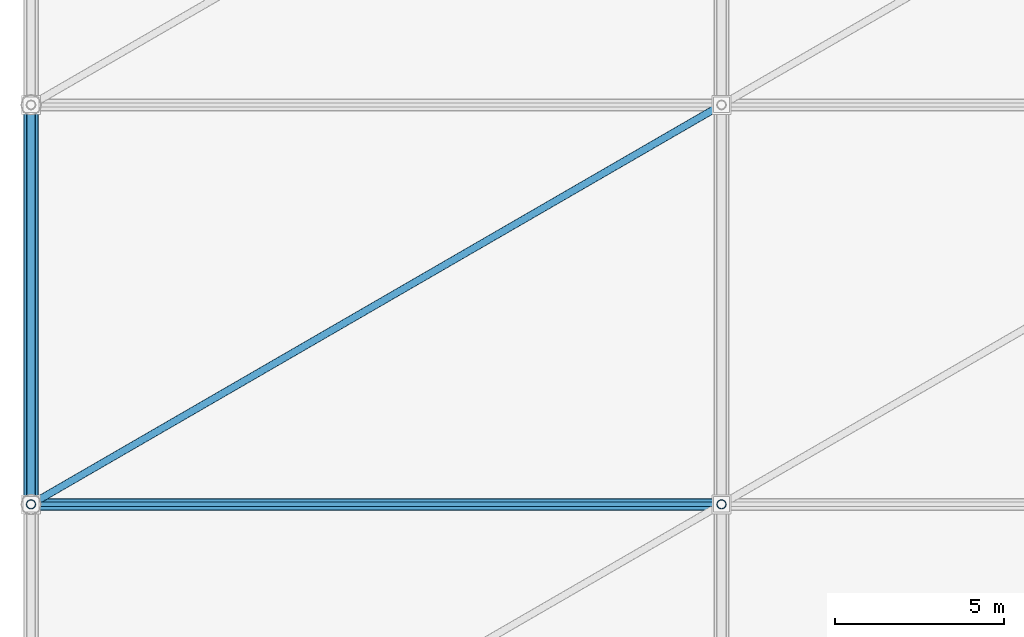
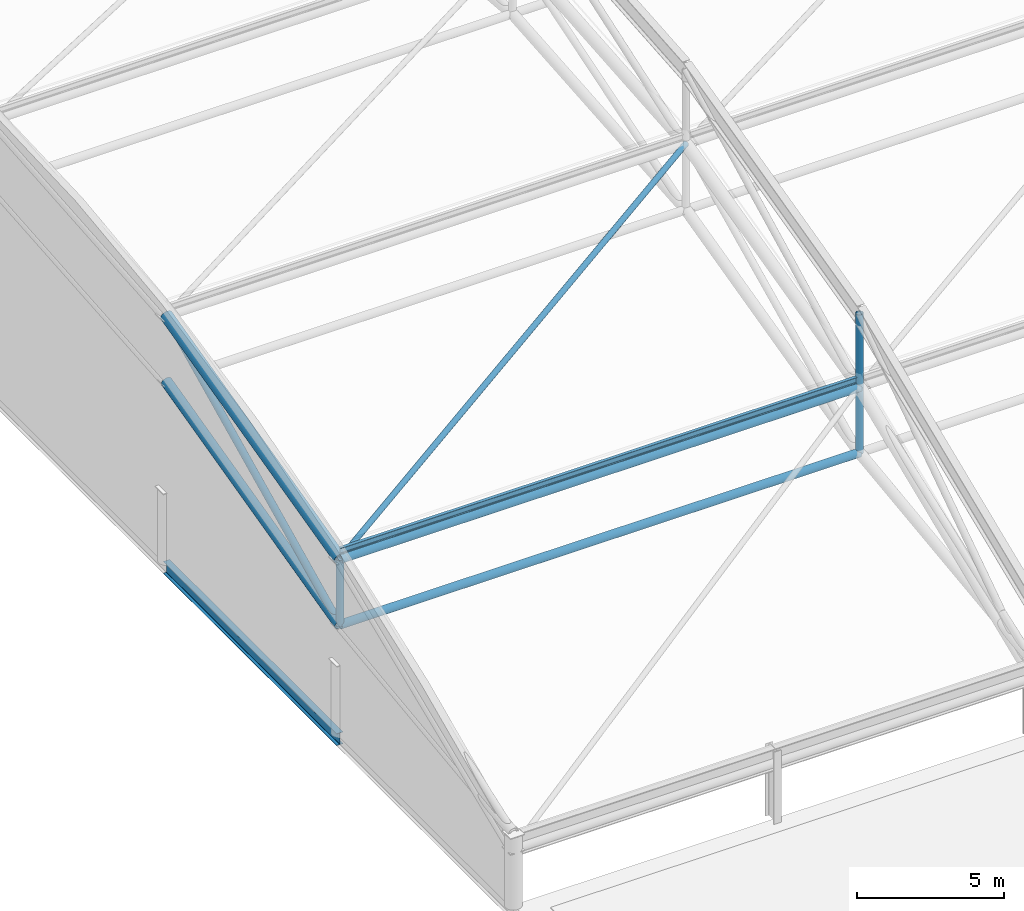
# One storey, part 15 of 135: 10 members, 1 beam.
"""IFC4 building model written with IfcOpenShell, lengths in metres."""

import ifcopenshell
import ifcopenshell.guid

model = None  # the IFC model being written
_history = None  # IfcOwnerHistory: only IFC2X3 demands one
_inside = {}  # id of a spatial element -> (the spatial element, [elements in it])
_under = {}  # id of a project, library or spatial element -> (it, [spatial elements below it])
_declared = {}  # id of a project -> (the project, [libraries it declares])
_typed = {}  # id of a type object -> (the type object, [elements of that type])
_made_of = {}  # id of a material, layer set ... -> (it, [elements and type objects made of it])


def new_model(schema):
    """Start an empty IFC model of exactly this schema.

    Asked for "IFC4X3", IfcOpenShell would pick the latest addendum, in which some entities
    have other attributes; the version numbers below select the first issue.
    IFC2X3 requires an IfcOwnerHistory on every rooted entity: one is made here for all.
    """
    global model, _history
    if schema == "IFC4X3":
        model = ifcopenshell.file(schema_version=(4, 3, 0, 0))
    else:
        model = ifcopenshell.file(schema=schema)
    _inside.clear()
    _under.clear()
    _declared.clear()
    _typed.clear()
    _made_of.clear()
    _history = None
    if model.schema == "IFC2X3":
        org = make("IfcOrganization", Name="unknown")
        user = make(
            "IfcPersonAndOrganization",
            ThePerson=make("IfcPerson", FamilyName="unknown"),
            TheOrganization=org,
        )
        app = make(
            "IfcApplication",
            ApplicationDeveloper=org,
            Version="unknown",
            ApplicationFullName="unknown",
            ApplicationIdentifier="unknown",
        )
        _history = make(
            "IfcOwnerHistory",
            OwningUser=user,
            OwningApplication=app,
            ChangeAction="ADDED",
            CreationDate=0,
        )
    return model


def make(cls, **values):
    """One entity of the class cls with the attributes given. An attribute that is None is left unset."""
    return model.create_entity(
        cls, **{name: value for name, value in values.items() if value is not None}
    )


def rooted(cls, **values):
    """An entity with a GlobalId (a new one), such as an element, a storey or a relation."""
    return make(cls, GlobalId=ifcopenshell.guid.new(), OwnerHistory=_history, **values)


def si_unit(unit_type, name, prefix=None):
    """IfcSIUnit, for example si_unit("LENGTHUNIT", "METRE", prefix="MILLI")."""
    return make("IfcSIUnit", UnitType=unit_type, Prefix=prefix, Name=name)


def assignment(units):
    """IfcUnitAssignment: the units of a project."""
    return None if units is None else make("IfcUnitAssignment", Units=units)


def point(xyz):
    """IfcCartesianPoint."""
    return None if xyz is None else make("IfcCartesianPoint", Coordinates=xyz)


def direction(xyz):
    """IfcDirection."""
    return None if xyz is None else make("IfcDirection", DirectionRatios=xyz)


def frame(location, z_axis=None, x_axis=None):
    """IfcAxis2Placement3D, a coordinate frame: its origin and axes. An axis left out is left unset."""
    return make(
        "IfcAxis2Placement3D",
        Location=point(location),
        Axis=direction(z_axis),
        RefDirection=direction(x_axis),
    )


def frame_2d(location, x_axis=None):
    """IfcAxis2Placement2D, a coordinate frame in the plane: its origin and x axis."""
    return make(
        "IfcAxis2Placement2D", Location=point(location), RefDirection=direction(x_axis)
    )


def origin():
    """The frame at (0, 0, 0) with its axes left unset."""
    return frame((0.0, 0.0, 0.0))


def origin_2d():
    """The frame at (0, 0) in the plane with its x axis left unset."""
    return frame_2d((0.0, 0.0))


def place(relative_to, where):
    """IfcLocalPlacement: puts the frame where relative to a parent placement (None: the world)."""
    return make(
        "IfcLocalPlacement", PlacementRelTo=relative_to, RelativePlacement=where
    )


def context(
    kind, dimensions, precision=None, world=None, true_north=None, identifier=None
):
    """IfcGeometricRepresentationContext, for example the 3D "Model" context."""
    return make(
        "IfcGeometricRepresentationContext",
        ContextIdentifier=identifier,
        ContextType=kind,
        CoordinateSpaceDimension=dimensions,
        Precision=precision,
        WorldCoordinateSystem=world,
        TrueNorth=true_north,
    )


def subcontext(parent, identifier, kind, view, scale=None):
    """IfcGeometricRepresentationSubContext, for example "Body" below "Model"."""
    return make(
        "IfcGeometricRepresentationSubContext",
        ContextIdentifier=identifier,
        ContextType=kind,
        ParentContext=parent,
        TargetScale=scale,
        TargetView=view,
    )


def project(units=None, contexts=None):
    """IfcProject with its units and contexts."""
    return rooted(
        "IfcProject",
        Name="project",
        RepresentationContexts=contexts,
        UnitsInContext=assignment(units),
    )


def spatial(cls, under=None, at=None, **own):
    """A site, building, storey or space (cls), placed at a placement, below another one or the project."""
    s = rooted(cls, ObjectPlacement=at, **own)
    if under is not None:
        _under.setdefault(under.id(), (under, []))[1].append(s)
    return s


def profile(cls, at=None, kind="AREA", **sizes):
    """A parametric profile (cls). Its sizes go by their IFC names, for example OverallWidth=200.0."""
    return make(cls, ProfileType=kind, Position=at, **sizes)


def hollow_circle(**sizes):
    """IfcCircleHollowProfileDef."""
    return profile("IfcCircleHollowProfileDef", **sizes)


def i_section(**sizes):
    """IfcIShapeProfileDef."""
    return profile("IfcIShapeProfileDef", **sizes)


def extrude(swept, where, along, depth):
    """IfcExtrudedAreaSolid: the profile swept, set in the frame where, extruded along a direction by depth."""
    return make(
        "IfcExtrudedAreaSolid",
        SweptArea=swept,
        Position=where,
        ExtrudedDirection=direction(along),
        Depth=depth,
    )


def shape(context_of_items, identifier, shape_type, items):
    """IfcShapeRepresentation: the items that make up one representation, for example the "Body"."""
    return make(
        "IfcShapeRepresentation",
        ContextOfItems=context_of_items,
        RepresentationIdentifier=identifier,
        RepresentationType=shape_type,
        Items=items,
    )


def material(Name=None, Category=None):
    """IfcMaterial."""
    return make("IfcMaterial", Name=Name, Category=Category)


def material_profile(
    of_material, cross_section, Name=None, Category=None, Priority=None
):
    """IfcMaterialProfile: a cross section and its material."""
    return make(
        "IfcMaterialProfile",
        Name=Name,
        Material=of_material,
        Profile=cross_section,
        Priority=Priority,
        Category=Category,
    )


def profile_set(profiles, Name=None, composite=None):
    """IfcMaterialProfileSet."""
    return make(
        "IfcMaterialProfileSet",
        Name=Name,
        MaterialProfiles=profiles,
        CompositeProfile=composite,
    )


def made_of(thing, what):
    """Note that an element or type object is made of a material, layer set ...; save() writes the relation."""
    if what is not None:
        _made_of.setdefault(what.id(), (what, []))[1].append(thing)
    return thing


def type_object(cls, material=None, **own):
    """A type object (cls), such as IfcWallType, which elements share."""
    return made_of(rooted(cls, **own), material)


def element(
    cls,
    number,
    at=None,
    inside=None,
    cuts=None,
    type_object=None,
    material=None,
    context=None,
    identifier="Body",
    shape_type=None,
    held_by="IfcProductDefinitionShape",
    body=None,
    shapes=None,
    **own,
):
    """One element of the class cls, such as IfcWall. Its Tag is "e" and its number.

    at: its placement. inside: the storey or other place that contains it. cuts: it is an
    opening in that element (IfcRelVoidsElement). A single representation is given by context,
    identifier, shape_type and body (its items); several are given by shapes. held_by: the class
    of the entity that holds the representations. save() writes the other relations.
    """
    e = rooted(cls, Tag="e%d" % number, ObjectPlacement=at, **own)
    if body is not None:
        shapes = [shape(context, identifier, shape_type, body)]
    if shapes is not None:
        e.Representation = make(held_by, Representations=shapes)
    if inside is not None:
        _inside.setdefault(inside.id(), (inside, []))[1].append(e)
    if cuts is not None:
        rooted(
            "IfcRelVoidsElement", RelatingBuildingElement=cuts, RelatedOpeningElement=e
        )
    if type_object is not None:
        _typed.setdefault(type_object.id(), (type_object, []))[1].append(e)
    return made_of(e, material)


def aggregate(whole, parts):
    """IfcRelAggregates: a whole, such as a stair, and the parts it consists of."""
    return rooted("IfcRelAggregates", RelatingObject=whole, RelatedObjects=parts)


def save(model, path):
    """Write the relations noted so far, then the file.

    IfcRelAggregates (storeys below a building ...), IfcRelContainedInSpatialStructure (elements
    in a storey), IfcRelDefinesByType, IfcRelAssociatesMaterial and IfcRelDeclares: one each for
    every whole, place, type object, material and project.
    """
    for whole, parts in _under.values():
        aggregate(whole, parts)
    for where, things in _inside.values():
        rooted(
            "IfcRelContainedInSpatialStructure",
            RelatedElements=things,
            RelatingStructure=where,
        )
    for kind, things in _typed.values():
        rooted("IfcRelDefinesByType", RelatedObjects=things, RelatingType=kind)
    for what, things in _made_of.values():
        rooted("IfcRelAssociatesMaterial", RelatedObjects=things, RelatingMaterial=what)
    for by, libraries in _declared.values():
        rooted("IfcRelDeclares", RelatingContext=by, RelatedDefinitions=libraries)
    model.write(path)


model = new_model("IFC4")

# Units and contexts
model_context = context("Model", 3, precision=1e-05, world=origin(), true_north=direction((0.0, 1.0)))
body_context = subcontext(model_context, "Body", "Model", "MODEL_VIEW")
ifc_project = project(units=[si_unit("LENGTHUNIT", "METRE"), si_unit("AREAUNIT", "SQUARE_METRE"), si_unit("VOLUMEUNIT", "CUBIC_METRE"), si_unit("PLANEANGLEUNIT", "RADIAN"), si_unit("MASSUNIT", "GRAM", prefix="KILO")], contexts=[model_context])

# Site, building, storey
site_placement = place(None, origin())
site = spatial("IfcSite", under=ifc_project, at=site_placement, CompositionType="ELEMENT")
building_placement = place(site_placement, origin())
building = spatial("IfcBuilding", under=site, at=building_placement, Name="Brelvane Convention Centre", CompositionType="ELEMENT")
storey_placement = place(building_placement, frame((0.0, 0.0, 15.0)))
storey = spatial("IfcBuildingStorey", under=building, at=storey_placement, Name="L03", CompositionType="ELEMENT", Elevation=15.0)

# Members
ifc_material_1 = material(Name="Steel E350 (350 MPa)", Category="steel")
ifc_material_profile_1 = material_profile(ifc_material_1, hollow_circle(Radius=0.136474609375, WallThickness=0.012451171875, at=origin_2d()), Name="CHS 273.0x12.5")
ifc_profile_set_1 = profile_set([ifc_material_profile_1], Name="Steel E350 (350 MPa)")
member_type_1 = type_object("IfcMemberType", Name="Steel Brace SF-DG1 (CHS 273.0x12.5)", PredefinedType="BRACE", material=ifc_profile_set_1)
member_1_placement = place(storey_placement, frame((0.0, 40.60009765625, 4.489013671875), z_axis=(0.0, 0.901249063661, 0.433301425397), x_axis=(-1.0, 0.0, 0.0)))
element("IfcMember", 1, at=member_1_placement, inside=storey, type_object=member_type_1, Name="SF_EXH Space-Frame Web Diagonal D1.2", PredefinedType="BRACE", context=body_context, shape_type="SweptSolid", body=[
    extrude(hollow_circle(Radius=0.136474609375, WallThickness=0.012451171875, at=origin_2d()), origin(), (0.0, 0.0, 1.0), 13.0927734375),
])
ifc_material_2 = material(Name="Steel E350 (350 MPa)", Category="steel")
ifc_material_profile_2 = material_profile(ifc_material_2, hollow_circle(Radius=0.109619140625, WallThickness=0.010009765625, at=origin_2d()), Name="CHS 219.1x10.0")
ifc_profile_set_2 = profile_set([ifc_material_profile_2], Name="Steel E350 (350 MPa)")
member_type_2 = type_object("IfcMemberType", Name="Steel Brace SF-DG2 (CHS 219.1x10.0)", PredefinedType="BRACE", material=ifc_profile_set_2)
member_2_placement = place(storey_placement, frame((0.0, 40.60009765625, 7.22900390625), z_axis=(0.858995025138, 0.496863825785, 0.123506620934), x_axis=(-0.500697290317, 0.865622448571, 0.0)))
element("IfcMember", 2, at=member_2_placement, inside=storey, type_object=member_type_2, Name="SF_EXH Roof Diaphragm Brace PB1.2", PredefinedType="BRACE", context=body_context, shape_type="SweptSolid", body=[
    extrude(hollow_circle(Radius=0.109619140625, WallThickness=0.010009765625, at=origin_2d()), origin(), (0.0, 0.0, 1.0), 23.74853515625),
])
ifc_material_3 = material(Name="Steel E450 (450 MPa)", Category="steel")
ifc_material_profile_3 = material_profile(ifc_material_3, hollow_circle(Radius=0.203125, WallThickness=0.01611328125, at=origin_2d()), Name="CHS 406.4x16.0")
ifc_profile_set_3 = profile_set([ifc_material_profile_3], Name="Steel E450 (450 MPa)")
member_type_3 = type_object("IfcMemberType", Name="Steel Chord SF-BC1 (CHS 406.4x16.0)", PredefinedType="CHORD", material=ifc_profile_set_3)
member_3_placement = place(storey_placement, frame((0.0, 40.60009765625, 4.489013671875), z_axis=(0.0, 0.97046761544, 0.241231439458), x_axis=(-1.0, 0.0, 0.0)))
element("IfcMember", 3, at=member_3_placement, inside=storey, type_object=member_type_3, Name="SF_EXH Space-Frame Bottom Chord B1.2", PredefinedType="CHORD", context=body_context, shape_type="SweptSolid", body=[
    extrude(hollow_circle(Radius=0.203125, WallThickness=0.01611328125, at=origin_2d()), origin(), (0.0, 0.0, 1.0), 12.158935546875),
])
ifc_material_4 = material(Name="Steel E350 (350 MPa)", Category="steel")
ifc_material_profile_4 = material_profile(ifc_material_4, hollow_circle(Radius=0.161865234375, WallThickness=0.012451171875, at=origin_2d()), Name="CHS 323.9x12.5")
ifc_profile_set_4 = profile_set([ifc_material_profile_4], Name="Steel E350 (350 MPa)")
member_type_4 = type_object("IfcMemberType", Name="Steel Chord SF-BC2 (CHS 323.9x12.5)", PredefinedType="CHORD", material=ifc_profile_set_4)
member_4_placement = place(storey_placement, frame((0.0, 40.60009765625, 4.489013671875), z_axis=(1.0, 0.0, 0.0), x_axis=(0.0, 1.0, 0.0)))
element("IfcMember", 4, at=member_4_placement, inside=storey, type_object=member_type_4, Name="SF_EXH Longitudinal Bottom Chord LB1.2", PredefinedType="CHORD", context=body_context, shape_type="SweptSolid", body=[
    extrude(hollow_circle(Radius=0.161865234375, WallThickness=0.012451171875, at=origin_2d()), origin(), (0.0, 0.0, 1.0), 20.39990234375),
])
ifc_material_5 = material(Name="Steel E450 (450 MPa)", Category="steel")
ifc_material_profile_5 = material_profile(ifc_material_5, hollow_circle(Radius=0.228515625, WallThickness=0.02001953125, at=origin_2d()), Name="CHS 457.0x20.0")
ifc_profile_set_5 = profile_set([ifc_material_profile_5], Name="Steel E450 (450 MPa)")
member_type_5 = type_object("IfcMemberType", Name="Steel Chord SF-TC1 (CHS 457.0x20.0)", PredefinedType="CHORD", material=ifc_profile_set_5)
member_5_placement = place(storey_placement, frame((0.0, 40.60009765625, 7.22900390625), z_axis=(0.0, 0.97046761544, 0.241231439458), x_axis=(-1.0, 0.0, 0.0)))
element("IfcMember", 5, at=member_5_placement, inside=storey, type_object=member_type_5, Name="SF_EXH Space-Frame Top Chord T1.2", PredefinedType="CHORD", context=body_context, shape_type="SweptSolid", body=[
    extrude(hollow_circle(Radius=0.228515625, WallThickness=0.02001953125, at=origin_2d()), origin(), (0.0, 0.0, 1.0), 12.158935546875),
])
ifc_material_6 = material(Name="Steel E450 (450 MPa)", Category="steel")
ifc_material_profile_6 = material_profile(ifc_material_6, hollow_circle(Radius=0.177734375, WallThickness=0.01611328125, at=origin_2d()), Name="CHS 355.6x16.0")
ifc_profile_set_6 = profile_set([ifc_material_profile_6], Name="Steel E450 (450 MPa)")
member_type_6 = type_object("IfcMemberType", Name="Steel Chord SF-TC2 (CHS 355.6x16.0)", PredefinedType="CHORD", material=ifc_profile_set_6)
member_6_placement = place(storey_placement, frame((0.0, 40.60009765625, 7.22900390625), z_axis=(1.0, 0.0, 0.0), x_axis=(0.0, 1.0, 0.0)))
element("IfcMember", 6, at=member_6_placement, inside=storey, type_object=member_type_6, Name="SF_EXH Longitudinal Top Chord LT1.2", PredefinedType="CHORD", context=body_context, shape_type="SweptSolid", body=[
    extrude(hollow_circle(Radius=0.177734375, WallThickness=0.01611328125, at=origin_2d()), origin(), (0.0, 0.0, 1.0), 20.39990234375),
])
ifc_material_7 = material(Name="Steel E350 (350 MPa)", Category="steel")
ifc_material_profile_7 = material_profile(ifc_material_7, i_section(OverallWidth=0.125, OverallDepth=0.25, WebThickness=0.0068359375, FlangeThickness=0.012451171875, FilletRadius=0.012939453125, at=origin_2d()), Name="ISMB 250")
ifc_profile_set_7 = profile_set([ifc_material_profile_7], Name="Steel E350 (350 MPa)")
member_type_7 = type_object("IfcMemberType", Name="Steel Purlin PR-ST1 (ISMB 250)", PredefinedType="PURLIN", material=ifc_profile_set_7)
member_7_placement = place(storey_placement, frame((0.0, 40.60009765625, 7.56396484375), z_axis=(1.0, 0.0, 0.0), x_axis=(0.0, 1.0, 0.0)))
element("IfcMember", 7, at=member_7_placement, inside=storey, type_object=member_type_7, Name="SF_EXH Roof Purlin P1.2", PredefinedType="PURLIN", context=body_context, shape_type="SweptSolid", body=[
    extrude(i_section(OverallWidth=0.125, OverallDepth=0.25, WebThickness=0.0068359375, FlangeThickness=0.012451171875, FilletRadius=0.012939453125, at=origin_2d()), origin(), (0.0, 0.0, 1.0), 20.39990234375),
])

# Beam
ifc_material_8 = material(Name="Steel E350 (350 MPa)", Category="steel")
ifc_material_profile_8 = material_profile(ifc_material_8, i_section(OverallWidth=0.25, OverallDepth=0.5, WebThickness=0.010009765625, FlangeThickness=0.0146484375, FilletRadius=0.01611328125, at=origin_2d()), Name="ISWB 500")
ifc_profile_set_8 = profile_set([ifc_material_profile_8], Name="Steel E350 (350 MPa)")
beam_type = type_object("IfcBeamType", Name="Steel Spandrel SP-ST1 (ISWB 500)", PredefinedType="SPANDREL", material=ifc_profile_set_8)
beam_placement = place(storey_placement, frame((0.0, 40.60009765625, -0.25), z_axis=(0.0, 1.0, 0.0), x_axis=(-1.0, 0.0, 0.0)))
element("IfcBeam", 8, at=beam_placement, inside=storey, type_object=beam_type, Name="West Hull Wall Girt L03-2", PredefinedType="SPANDREL", context=body_context, shape_type="SweptSolid", body=[
    extrude(i_section(OverallWidth=0.25, OverallDepth=0.5, WebThickness=0.010009765625, FlangeThickness=0.0146484375, FilletRadius=0.01611328125, at=origin_2d()), origin(), (0.0, 0.0, 1.0), 11.7998046875),
])

# Members
ifc_material_9 = material(Name="Steel E350 (350 MPa)", Category="steel")
ifc_material_profile_9 = material_profile(ifc_material_9, hollow_circle(Radius=0.136474609375, WallThickness=0.012451171875, at=origin_2d()), Name="CHS 273.0x12.5")
ifc_profile_set_9 = profile_set([ifc_material_profile_9], Name="Steel E350 (350 MPa)")
member_type_8 = type_object("IfcMemberType", Name="Steel Strut SF-VT1 (CHS 273.0x12.5)", PredefinedType="STRUT", material=ifc_profile_set_9)
for number, where, z_axis, x_axis, name in (
    (9, (0.0, 40.60009765625, 4.489013671875), (0.0, 0.0, 1.0), (1.0, 0.0, 0.0), "SF_EXH Space-Frame Post V1.1"),
    (10, (20.39990234375, 40.60009765625, 4.489013671875), (0.0, 0.0, 1.0), (1.0, 0.0, 0.0), "SF_EXH Space-Frame Post V2.1"),
):
    element("IfcMember", number, at=place(storey_placement, frame(where, z_axis=z_axis, x_axis=x_axis)), inside=storey, type_object=member_type_8, Name=name, PredefinedType="STRUT", context=body_context, shape_type="SweptSolid", body=[
        extrude(hollow_circle(Radius=0.136474609375, WallThickness=0.012451171875, at=origin_2d()), origin(), (0.0, 0.0, 1.0), 2.739990234375),
    ])
member_8_placement = place(storey_placement, frame((20.39990234375, 40.60009765625, 7.22900390625), z_axis=(0.0, 0.0, 1.0), x_axis=(1.0, 0.0, 0.0)))
element("IfcMember", 11, at=member_8_placement, inside=storey, type_object=member_type_8, Name="EXO_EXH Roof Suspension Hanger 2.1", PredefinedType="STRUT", context=body_context, shape_type="SweptSolid", body=[
    extrude(hollow_circle(Radius=0.136474609375, WallThickness=0.012451171875, at=origin_2d()), origin(), (0.0, 0.0, 1.0), 3.059814453125),
])

save(model, "model.ifc")
